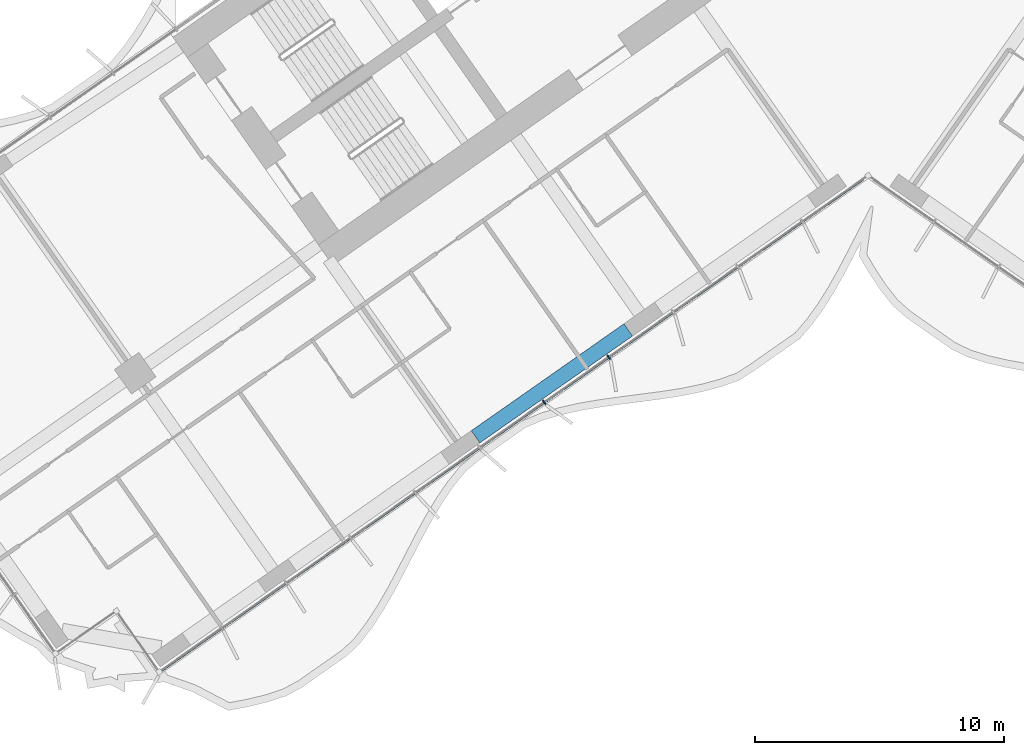
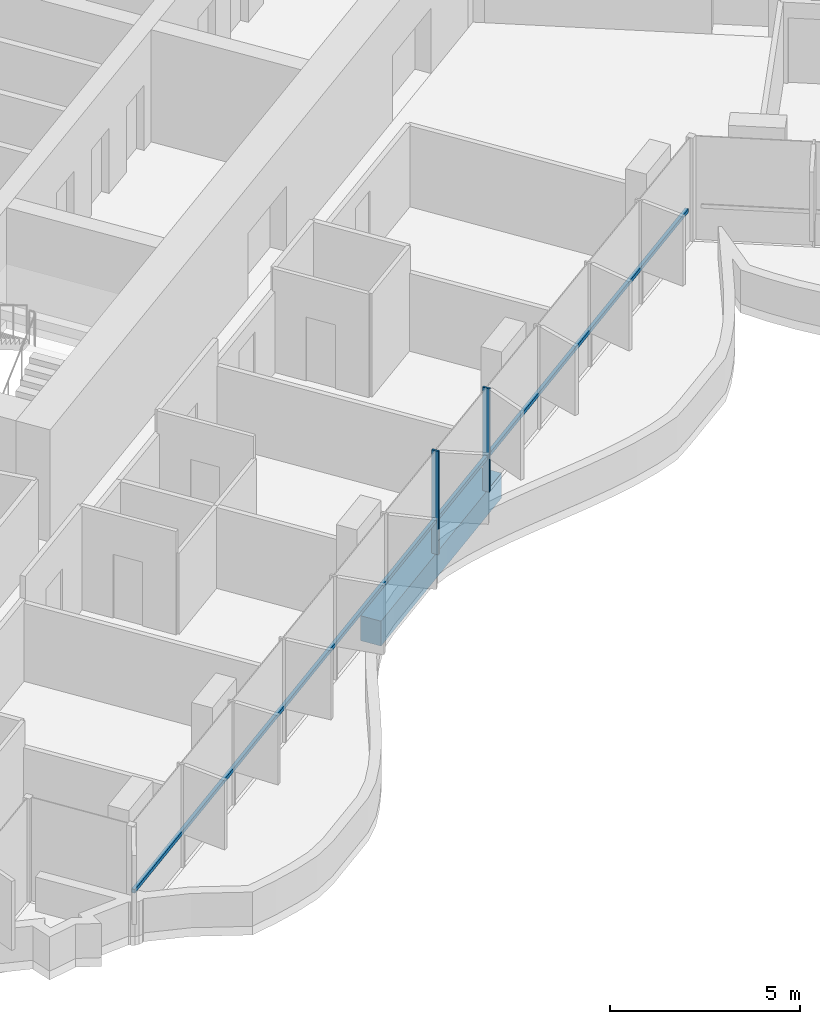
# One storey, part 3 of 23: 3 members, 1 beam, 1 element without a shape of its own.
"""IFC4 building model written with IfcOpenShell, lengths in metres."""

import ifcopenshell
import ifcopenshell.guid

model = None  # the IFC model being written
_history = None  # IfcOwnerHistory: only IFC2X3 demands one
_inside = {}  # id of a spatial element -> (the spatial element, [elements in it])
_under = {}  # id of a project, library or spatial element -> (it, [spatial elements below it])
_declared = {}  # id of a project -> (the project, [libraries it declares])
_typed = {}  # id of a type object -> (the type object, [elements of that type])
_made_of = {}  # id of a material, layer set ... -> (it, [elements and type objects made of it])


def new_model(schema):
    """Start an empty IFC model of exactly this schema.

    Asked for "IFC4X3", IfcOpenShell would pick the latest addendum, in which some entities
    have other attributes; the version numbers below select the first issue.
    IFC2X3 requires an IfcOwnerHistory on every rooted entity: one is made here for all.
    """
    global model, _history
    if schema == "IFC4X3":
        model = ifcopenshell.file(schema_version=(4, 3, 0, 0))
    else:
        model = ifcopenshell.file(schema=schema)
    _inside.clear()
    _under.clear()
    _declared.clear()
    _typed.clear()
    _made_of.clear()
    _history = None
    if model.schema == "IFC2X3":
        org = make("IfcOrganization", Name="unknown")
        user = make(
            "IfcPersonAndOrganization",
            ThePerson=make("IfcPerson", FamilyName="unknown"),
            TheOrganization=org,
        )
        app = make(
            "IfcApplication",
            ApplicationDeveloper=org,
            Version="unknown",
            ApplicationFullName="unknown",
            ApplicationIdentifier="unknown",
        )
        _history = make(
            "IfcOwnerHistory",
            OwningUser=user,
            OwningApplication=app,
            ChangeAction="ADDED",
            CreationDate=0,
        )
    return model


def make(cls, **values):
    """One entity of the class cls with the attributes given. An attribute that is None is left unset."""
    return model.create_entity(
        cls, **{name: value for name, value in values.items() if value is not None}
    )


def rooted(cls, **values):
    """An entity with a GlobalId (a new one), such as an element, a storey or a relation."""
    return make(cls, GlobalId=ifcopenshell.guid.new(), OwnerHistory=_history, **values)


def si_unit(unit_type, name, prefix=None):
    """IfcSIUnit, for example si_unit("LENGTHUNIT", "METRE", prefix="MILLI")."""
    return make("IfcSIUnit", UnitType=unit_type, Prefix=prefix, Name=name)


def assignment(units):
    """IfcUnitAssignment: the units of a project."""
    return None if units is None else make("IfcUnitAssignment", Units=units)


def point(xyz):
    """IfcCartesianPoint."""
    return None if xyz is None else make("IfcCartesianPoint", Coordinates=xyz)


def direction(xyz):
    """IfcDirection."""
    return None if xyz is None else make("IfcDirection", DirectionRatios=xyz)


def frame(location, z_axis=None, x_axis=None):
    """IfcAxis2Placement3D, a coordinate frame: its origin and axes. An axis left out is left unset."""
    return make(
        "IfcAxis2Placement3D",
        Location=point(location),
        Axis=direction(z_axis),
        RefDirection=direction(x_axis),
    )


def frame_2d(location, x_axis=None):
    """IfcAxis2Placement2D, a coordinate frame in the plane: its origin and x axis."""
    return make(
        "IfcAxis2Placement2D", Location=point(location), RefDirection=direction(x_axis)
    )


def origin():
    """The frame at (0, 0, 0) with its axes left unset."""
    return frame((0.0, 0.0, 0.0))


def origin_2d():
    """The frame at (0, 0) in the plane with its x axis left unset."""
    return frame_2d((0.0, 0.0))


def place(relative_to, where):
    """IfcLocalPlacement: puts the frame where relative to a parent placement (None: the world)."""
    return make(
        "IfcLocalPlacement", PlacementRelTo=relative_to, RelativePlacement=where
    )


def context(
    kind, dimensions, precision=None, world=None, true_north=None, identifier=None
):
    """IfcGeometricRepresentationContext, for example the 3D "Model" context."""
    return make(
        "IfcGeometricRepresentationContext",
        ContextIdentifier=identifier,
        ContextType=kind,
        CoordinateSpaceDimension=dimensions,
        Precision=precision,
        WorldCoordinateSystem=world,
        TrueNorth=true_north,
    )


def subcontext(parent, identifier, kind, view, scale=None):
    """IfcGeometricRepresentationSubContext, for example "Body" below "Model"."""
    return make(
        "IfcGeometricRepresentationSubContext",
        ContextIdentifier=identifier,
        ContextType=kind,
        ParentContext=parent,
        TargetScale=scale,
        TargetView=view,
    )


def project(units=None, contexts=None):
    """IfcProject with its units and contexts."""
    return rooted(
        "IfcProject",
        Name="project",
        RepresentationContexts=contexts,
        UnitsInContext=assignment(units),
    )


def spatial(cls, under=None, at=None, **own):
    """A site, building, storey or space (cls), placed at a placement, below another one or the project."""
    s = rooted(cls, ObjectPlacement=at, **own)
    if under is not None:
        _under.setdefault(under.id(), (under, []))[1].append(s)
    return s


def profile(cls, at=None, kind="AREA", **sizes):
    """A parametric profile (cls). Its sizes go by their IFC names, for example OverallWidth=200.0."""
    return make(cls, ProfileType=kind, Position=at, **sizes)


def rectangle(**sizes):
    """IfcRectangleProfileDef."""
    return profile("IfcRectangleProfileDef", **sizes)


def extrude(swept, where, along, depth):
    """IfcExtrudedAreaSolid: the profile swept, set in the frame where, extruded along a direction by depth."""
    return make(
        "IfcExtrudedAreaSolid",
        SweptArea=swept,
        Position=where,
        ExtrudedDirection=direction(along),
        Depth=depth,
    )


def shape(context_of_items, identifier, shape_type, items):
    """IfcShapeRepresentation: the items that make up one representation, for example the "Body"."""
    return make(
        "IfcShapeRepresentation",
        ContextOfItems=context_of_items,
        RepresentationIdentifier=identifier,
        RepresentationType=shape_type,
        Items=items,
    )


def material(Name=None, Category=None):
    """IfcMaterial."""
    return make("IfcMaterial", Name=Name, Category=Category)


def material_profile(
    of_material, cross_section, Name=None, Category=None, Priority=None
):
    """IfcMaterialProfile: a cross section and its material."""
    return make(
        "IfcMaterialProfile",
        Name=Name,
        Material=of_material,
        Profile=cross_section,
        Priority=Priority,
        Category=Category,
    )


def profile_set(profiles, Name=None, composite=None):
    """IfcMaterialProfileSet."""
    return make(
        "IfcMaterialProfileSet",
        Name=Name,
        MaterialProfiles=profiles,
        CompositeProfile=composite,
    )


def made_of(thing, what):
    """Note that an element or type object is made of a material, layer set ...; save() writes the relation."""
    if what is not None:
        _made_of.setdefault(what.id(), (what, []))[1].append(thing)
    return thing


def type_object(cls, material=None, **own):
    """A type object (cls), such as IfcWallType, which elements share."""
    return made_of(rooted(cls, **own), material)


def element(
    cls,
    number,
    at=None,
    inside=None,
    cuts=None,
    type_object=None,
    material=None,
    context=None,
    identifier="Body",
    shape_type=None,
    held_by="IfcProductDefinitionShape",
    body=None,
    shapes=None,
    **own,
):
    """One element of the class cls, such as IfcWall. Its Tag is "e" and its number.

    at: its placement. inside: the storey or other place that contains it. cuts: it is an
    opening in that element (IfcRelVoidsElement). A single representation is given by context,
    identifier, shape_type and body (its items); several are given by shapes. held_by: the class
    of the entity that holds the representations. save() writes the other relations.
    """
    e = rooted(cls, Tag="e%d" % number, ObjectPlacement=at, **own)
    if body is not None:
        shapes = [shape(context, identifier, shape_type, body)]
    if shapes is not None:
        e.Representation = make(held_by, Representations=shapes)
    if inside is not None:
        _inside.setdefault(inside.id(), (inside, []))[1].append(e)
    if cuts is not None:
        rooted(
            "IfcRelVoidsElement", RelatingBuildingElement=cuts, RelatedOpeningElement=e
        )
    if type_object is not None:
        _typed.setdefault(type_object.id(), (type_object, []))[1].append(e)
    return made_of(e, material)


def aggregate(whole, parts):
    """IfcRelAggregates: a whole, such as a stair, and the parts it consists of."""
    return rooted("IfcRelAggregates", RelatingObject=whole, RelatedObjects=parts)


def save(model, path):
    """Write the relations noted so far, then the file.

    IfcRelAggregates (storeys below a building ...), IfcRelContainedInSpatialStructure (elements
    in a storey), IfcRelDefinesByType, IfcRelAssociatesMaterial and IfcRelDeclares: one each for
    every whole, place, type object, material and project.
    """
    for whole, parts in _under.values():
        aggregate(whole, parts)
    for where, things in _inside.values():
        rooted(
            "IfcRelContainedInSpatialStructure",
            RelatedElements=things,
            RelatingStructure=where,
        )
    for kind, things in _typed.values():
        rooted("IfcRelDefinesByType", RelatedObjects=things, RelatingType=kind)
    for what, things in _made_of.values():
        rooted("IfcRelAssociatesMaterial", RelatedObjects=things, RelatingMaterial=what)
    for by, libraries in _declared.values():
        rooted("IfcRelDeclares", RelatingContext=by, RelatedDefinitions=libraries)
    model.write(path)


model = new_model("IFC4")

# Units and contexts
model_context = context("Model", 3, precision=1e-05, world=origin(), true_north=direction((0.0, 1.0)))
body_context = subcontext(model_context, "Body", "Model", "MODEL_VIEW")
ifc_project = project(units=[si_unit("LENGTHUNIT", "METRE"), si_unit("AREAUNIT", "SQUARE_METRE"), si_unit("VOLUMEUNIT", "CUBIC_METRE"), si_unit("PLANEANGLEUNIT", "RADIAN"), si_unit("MASSUNIT", "GRAM", prefix="KILO")], contexts=[model_context])

# Site, building, storey
site_placement = place(None, origin())
site = spatial("IfcSite", under=ifc_project, at=site_placement, CompositionType="ELEMENT")
building_placement = place(site_placement, origin())
building = spatial("IfcBuilding", under=site, at=building_placement, Name="Tel Ilan Convention Tower", CompositionType="ELEMENT")
storey_placement = place(building_placement, frame((0.0, 0.0, 119.300048828125)))
storey = spatial("IfcBuildingStorey", under=building, at=storey_placement, Name="L26", CompositionType="ELEMENT", Elevation=119.300048828125)

# Beam
ifc_material_1 = material(Name="Concrete C40/50", Category="concrete")
ifc_material_profile_1 = material_profile(ifc_material_1, rectangle(XDim=0.60009765625, YDim=0.800048828125, at=origin_2d()), Name="RC 600x800")
ifc_profile_set_1 = profile_set([ifc_material_profile_1], Name="Concrete C40/50")
beam_type = type_object("IfcBeamType", Name="Beam RC 600x800 Concrete C40/50", PredefinedType="BEAM", material=ifc_profile_set_1)
beam_placement = place(storey_placement, frame((-9.652099609375, -18.905029296875, -0.679931640625), z_axis=(-0.81915238829, -0.573575945067, 0.0), x_axis=(0.573575945067, -0.81915238829, 0.0)))
element("IfcBeam", 1, at=beam_placement, inside=storey, type_object=beam_type, Name="L26 beam W-W-F2-W-F3", PredefinedType="BEAM", context=body_context, shape_type="SweptSolid", body=[
    extrude(rectangle(XDim=0.60009765625, YDim=0.800048828125, at=origin_2d()), origin(), (0.0, 0.0, 1.0), 7.5),
])

# Curtain wall, members
ifc_material_2 = material(Name="Aluminium, bronze anodised", Category="aluminium")
curtain_wall_type = type_object("IfcCurtainWallType", Name="CW1 UNITISED CURTAIN WALL, HOTEL TINTED GLASS", PredefinedType="NOTDEFINED", material=ifc_material_2)
curtain_wall_placement = place(storey_placement, origin())
curtain_wall = element("IfcCurtainWall", 2, at=curtain_wall_placement, inside=storey, type_object=curtain_wall_type, Name="Curtain wall CW1-20.02", PredefinedType="NOTDEFINED")
ifc_material_3 = material(Name="Aluminium, bronze anodised", Category="aluminium")
ifc_material_profile_2 = material_profile(ifc_material_3, rectangle(XDim=0.06005859375, YDim=0.199951171875, at=origin_2d()), Name="CW MULLION 60x200")
ifc_profile_set_2 = profile_set([ifc_material_profile_2], Name="Aluminium, bronze anodised")
member_type_1 = type_object("IfcMemberType", Name="CW MULLION 60x200", PredefinedType="MULLION", material=ifc_profile_set_2)
member_1_placement = place(storey_placement, frame((-13.03271484375, -21.821533203125, 0.0), z_axis=(0.0, 0.0, 1.0), x_axis=(0.819152044289, 0.573576436351, 0.0)))
member_1 = element("IfcMember", 3, at=member_1_placement, type_object=member_type_1, Name="Mullion", PredefinedType="MULLION", context=body_context, shape_type="SweptSolid", body=[
    extrude(rectangle(XDim=0.06005859375, YDim=0.199951171875, at=origin_2d()), origin(), (0.0, 0.0, 1.0), 3.320068359375),
])
member_2_placement = place(storey_placement, frame((-10.4375, -20.004638671875, 0.0), z_axis=(0.0, 0.0, 1.0), x_axis=(0.819152044289, 0.573576436351, 0.0)))
member_2 = element("IfcMember", 4, at=member_2_placement, type_object=member_type_1, Name="Mullion", PredefinedType="MULLION", context=body_context, shape_type="SweptSolid", body=[
    extrude(rectangle(XDim=0.06005859375, YDim=0.199951171875, at=origin_2d()), origin(), (0.0, 0.0, 1.0), 3.320068359375),
])
ifc_material_4 = material(Name="Aluminium, bronze anodised", Category="aluminium")
ifc_material_profile_3 = material_profile(ifc_material_4, rectangle(XDim=0.10009765625, YDim=0.1201171875, at=origin_2d()), Name="CW TRANSOM 100x120")
ifc_profile_set_3 = profile_set([ifc_material_profile_3], Name="Aluminium, bronze anodised")
member_type_2 = type_object("IfcMemberType", Name="CW TRANSOM 100x120", PredefinedType="USERDEFINED", material=ifc_profile_set_3)
member_3_placement = place(storey_placement, frame((-28.439208984375, -32.609375, 1.099853515625), z_axis=(0.819151003602, 0.573577922604, 0.0), x_axis=(-0.573577922604, 0.819151003602, 0.0)))
member_3 = element("IfcMember", 5, at=member_3_placement, type_object=member_type_2, Name="Transom", ObjectType="TRANSOM", PredefinedType="USERDEFINED", context=body_context, shape_type="SweptSolid", body=[
    extrude(rectangle(XDim=0.10009765625, YDim=0.1201171875, at=origin_2d()), origin(), (0.0, 0.0, 1.0), 34.447998046875),
])
aggregate(curtain_wall, [member_1, member_2, member_3])

save(model, "model.ifc")
